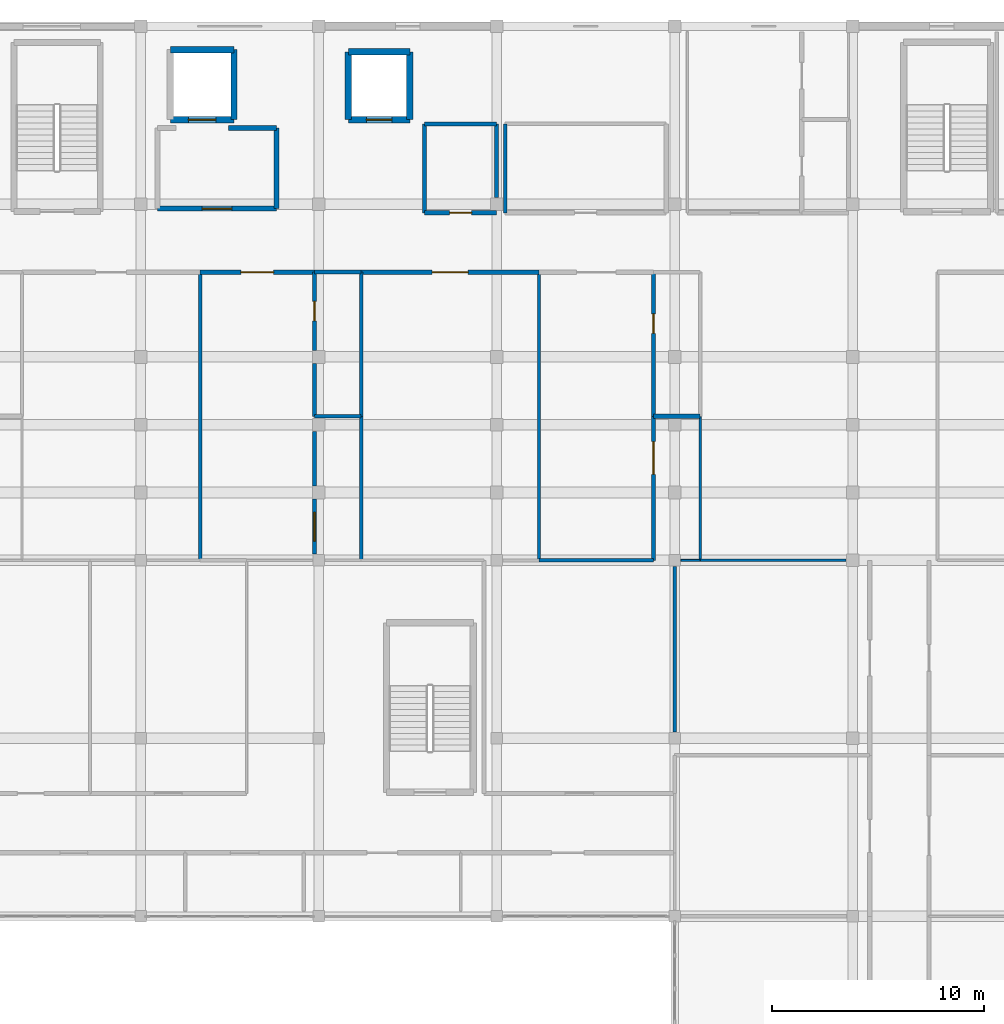
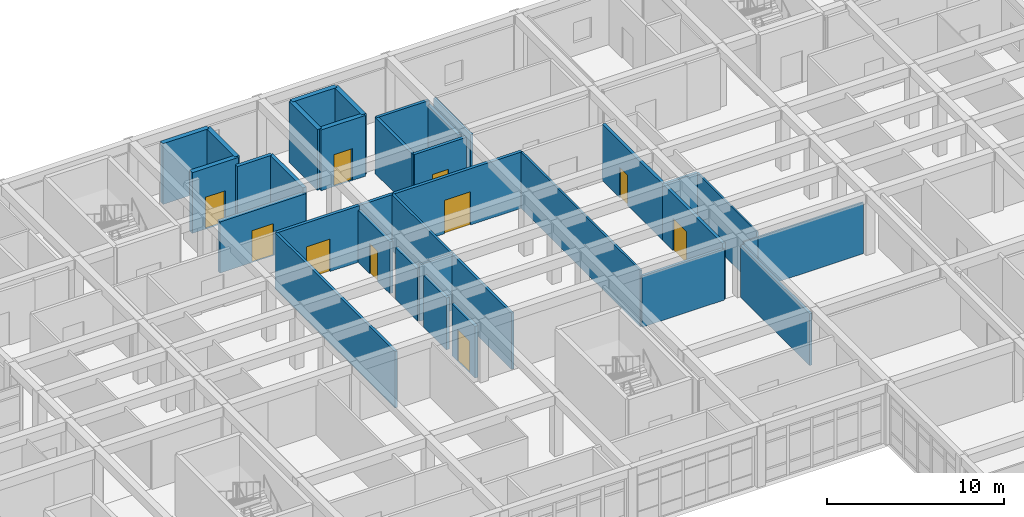
# One storey, part 58 of 77: 35 walls, 10 doors, 10 openings.
"""IFC4 building model written with IfcOpenShell, lengths in metres."""

from ifc_helpers import new_model, si_unit, direction, frame, frame_2d, origin, place, context, subcontext, project, spatial, rectangle, extrude, material, layer, layer_set, type_object, element, fill, save


model = new_model("IFC4")

# Units and contexts
model_context = context("Model", 3, precision=1e-05, world=origin(), true_north=direction((0.0, 1.0)))
body_context = subcontext(model_context, "Body", "Model", "MODEL_VIEW")
ifc_project = project(units=[si_unit("LENGTHUNIT", "METRE"), si_unit("AREAUNIT", "SQUARE_METRE"), si_unit("VOLUMEUNIT", "CUBIC_METRE"), si_unit("PLANEANGLEUNIT", "RADIAN"), si_unit("MASSUNIT", "GRAM", prefix="KILO")], contexts=[model_context])

# Site, building, storey
site_placement = place(None, origin())
site = spatial("IfcSite", under=ifc_project, at=site_placement, CompositionType="ELEMENT")
building_placement = place(site_placement, origin())
building = spatial("IfcBuilding", under=site, at=building_placement, Name="Varncliffe General Hospital", CompositionType="ELEMENT")
storey_placement = place(building_placement, frame((0.0, 0.0, 16.199951171875)))
storey = spatial("IfcBuildingStorey", under=building, at=storey_placement, Name="L03", CompositionType="ELEMENT", Elevation=16.199951171875)

# Walls
ifc_material_1 = material(Name="Acoustic clinical gypsum stud partition assembly", Category="gypsum")
ifc_layer_1 = layer(ifc_material_1, 0.1298828125)
ifc_layer_set_1 = layer_set([ifc_layer_1], Name="Acoustic clinical gypsum stud partition assembly")
wall_type_1 = type_object("IfcWallType", Name="Interior Partitioning IW11 (130mm)", PredefinedType="PARTITIONING", material=ifc_layer_set_1)
wall_1_placement = place(storey_placement, frame((144.800048828125, 99.60009765625, 0.0), z_axis=(0.0, 0.0, 1.0), x_axis=(0.0, 1.0, 0.0)))
element("IfcWall", 1, at=wall_1_placement, inside=storey, type_object=wall_type_1, Name="L03 Interior Partition Wall IW11-1628", PredefinedType="PARTITIONING", context=body_context, shape_type="SweptSolid", body=[
    extrude(rectangle(XDim=13.599853515625, YDim=0.1298828125, at=frame_2d((6.7998046875, 0.0))), origin(), (0.0, 0.0, 1.0), 3.89013671875),
])
ifc_layer_2 = layer(ifc_material_1, 0.169921875)
ifc_layer_set_2 = layer_set([ifc_layer_2], Name="Acoustic clinical gypsum stud partition assembly")
wall_type_2 = type_object("IfcWallType", Name="Interior Partitioning IW20 (170mm)", PredefinedType="PARTITIONING", material=ifc_layer_set_2)
wall_2_placement = place(storey_placement, frame((144.800048828125, 99.60009765625, 0.0), z_axis=(0.0, 0.0, 1.0), x_axis=(1.0, 0.0, 0.0)))
element("IfcWall", 2, at=wall_2_placement, inside=storey, type_object=wall_type_2, Name="L03 Interior Partition Wall IW20-1440", PredefinedType="PARTITIONING", context=body_context, shape_type="SweptSolid", body=[
    extrude(rectangle(XDim=5.39990234375, YDim=0.169921875, at=frame_2d((2.699951171875, 0.0))), origin(), (0.0, 0.0, 1.0), 3.53515625),
])
wall_3_placement = place(storey_placement, frame((128.800048828125, 99.60009765625, 0.0), z_axis=(0.0, 0.0, 1.0), x_axis=(0.0, 1.0, 0.0)))
element("IfcWall", 3, at=wall_3_placement, inside=storey, type_object=wall_type_2, Name="L03 Interior Partition Wall IW20-1610", PredefinedType="PARTITIONING", context=body_context, shape_type="SweptSolid", body=[
    extrude(rectangle(XDim=13.599853515625, YDim=0.169921875, at=frame_2d((6.7998046875, 0.0))), origin(), (0.0, 0.0, 1.0), 3.89013671875),
])
wall_4_placement = place(storey_placement, frame((136.39990234375, 99.60009765625, 0.0), z_axis=(0.0, 0.0, 1.0), x_axis=(0.0, 1.0, 0.0)))
element("IfcWall", 4, at=wall_4_placement, inside=storey, type_object=wall_type_2, Name="L03 Interior Partition Wall IW20-1620", PredefinedType="PARTITIONING", context=body_context, shape_type="SweptSolid", body=[
    extrude(rectangle(XDim=6.7998046875, YDim=0.169921875, at=frame_2d((3.39990234375, 0.0))), origin(), (0.0, 0.0, 1.0), 3.89013671875),
])
wall_5_placement = place(storey_placement, frame((151.199951171875, 91.489990234375, 0.0), z_axis=(0.0, 0.0, 1.0), x_axis=(0.0, 1.0, 0.0)))
element("IfcWall", 5, at=wall_5_placement, inside=storey, type_object=wall_type_2, Name="L03 Interior Partition Wall IW20-1640", PredefinedType="PARTITIONING", context=body_context, shape_type="SweptSolid", body=[
    extrude(rectangle(XDim=7.820068359375, YDim=0.169921875, at=frame_2d((3.91015625, 0.0))), origin(), (0.0, 0.0, 1.0), 3.5849609375),
])
ifc_layer_3 = layer(ifc_material_1, 0.090087890625)
ifc_layer_set_3 = layer_set([ifc_layer_3], Name="Acoustic clinical gypsum stud partition assembly")
wall_type_3 = type_object("IfcWallType", Name="Interior Partitioning IW42 (90mm)", PredefinedType="PARTITIONING", material=ifc_layer_set_3)
wall_6_placement = place(storey_placement, frame((151.489990234375, 99.60009765625, 0.0), z_axis=(0.0, 0.0, 1.0), x_axis=(1.0, 0.0, 0.0)))
element("IfcWall", 6, at=wall_6_placement, inside=storey, type_object=wall_type_3, Name="L03 Interior Partition Wall IW42-1441", PredefinedType="PARTITIONING", context=body_context, shape_type="SweptSolid", body=[
    extrude(rectangle(XDim=0.909912109375, YDim=0.090087890625, at=frame_2d((0.455078125, 0.0))), origin(), (0.0, 0.0, 1.0), 3.53515625),
])
ifc_layer_4 = layer(ifc_material_1, 0.110107421875)
ifc_layer_set_4 = layer_set([ifc_layer_4], Name="Acoustic clinical gypsum stud partition assembly")
wall_type_4 = type_object("IfcWallType", Name="Interior Partitioning IW65 (110mm)", PredefinedType="PARTITIONING", material=ifc_layer_set_4)
wall_7_placement = place(storey_placement, frame((152.39990234375, 99.60009765625, 0.0), z_axis=(0.0, 0.0, 1.0), x_axis=(1.0, 0.0, 0.0)))
element("IfcWall", 7, at=wall_7_placement, inside=storey, type_object=wall_type_4, Name="L03 Interior Partition Wall IW65-1442", PredefinedType="PARTITIONING", context=body_context, shape_type="SweptSolid", body=[
    extrude(rectangle(XDim=6.885009765625, YDim=0.110107421875, at=frame_2d((3.4423828125, 0.0))), origin(), (0.0, 0.0, 1.0), 3.53515625),
])
wall_8_placement = place(storey_placement, frame((152.39990234375, 99.60009765625, 0.0), z_axis=(0.0, 0.0, 1.0), x_axis=(0.0, 1.0, 0.0)))
element("IfcWall", 8, at=wall_8_placement, inside=storey, type_object=wall_type_4, Name="L03 Interior Partition Wall IW65-1642", PredefinedType="PARTITIONING", context=body_context, shape_type="SweptSolid", body=[
    extrude(rectangle(XDim=6.7998046875, YDim=0.110107421875, at=frame_2d((3.39990234375, 0.0))), origin(), (0.0, 0.0, 1.0), 3.89013671875),
])

# Wall, opening, door
ifc_material_2 = material(Name="Fire-rated gypsum and mineral-wool partition assembly", Category="gypsum")
ifc_layer_5 = layer(ifc_material_2, 0.25)
ifc_layer_set_5 = layer_set([ifc_layer_5], Name="Fire-rated gypsum and mineral-wool partition assembly")
wall_type_5 = type_object("IfcWallType", Name="Interior Partitioning PW38 (250mm)", PredefinedType="PARTITIONING", material=ifc_layer_set_5)
wall_9_placement = place(storey_placement, frame((126.800048828125, 116.199951171875, 0.0), z_axis=(0.0, 0.0, 1.0), x_axis=(1.0, 0.0, 0.0)))
wall_9 = element("IfcWall", 9, at=wall_9_placement, inside=storey, type_object=wall_type_5, Name="L03 Interior Partition Wall PW38-1495", PredefinedType="PARTITIONING", context=body_context, shape_type="SweptSolid", body=[
    extrude(rectangle(XDim=5.599853515625, YDim=0.25, at=frame_2d((2.7998046875, 0.0))), origin(), (0.0, 0.0, 1.0), 3.53515625),
])
opening_1_placement = place(wall_9_placement, frame((2.10009765625, 0.0, 0.0)))
opening_1 = element("IfcOpeningElement", 10, at=opening_1_placement, cuts=wall_9, Name="Opening DF81", PredefinedType="OPENING", context=body_context, shape_type="SweptSolid", body=[
    extrude(rectangle(XDim=1.39990234375, YDim=2.199951171875, at=frame_2d((0.699951171875, 1.10009765625))), frame((0.0, 0.135009765625, 0.0), z_axis=(0.0, -1.0, 0.0), x_axis=(1.0, 0.0, 0.0)), (0.0, 0.0, 1.0), 0.27001953125),
])
ifc_material_3 = material(Name="Fire-rated hospital steel-frame vision-panel door", Category="steel")
door_type_1 = type_object("IfcDoorType", Name="Interior Hospital Door DF81 (1400x2200)", OperationType="NOTDEFINED", PredefinedType="DOOR", material=ifc_material_3)
door_1_placement = place(opening_1_placement, origin())
door_1 = element("IfcDoor", 11, at=door_1_placement, inside=storey, type_object=door_type_1, Name="L03 Firefighting Lift Lobby LF03 Door", OperationType="SINGLE_SWING_RIGHT", OverallHeight=2.199951171875, OverallWidth=1.39990234375, PredefinedType="DOOR", context=body_context, shape_type="SweptSolid", body=[
    extrude(rectangle(XDim=1.39990234375, YDim=2.199951171875, at=frame_2d((0.699951171875, 1.10009765625))), frame((0.0, 0.02490234375, 0.0), z_axis=(0.0, -1.0, 0.0), x_axis=(1.0, 0.0, 0.0)), (0.0, 0.0, 1.0), 0.050048828125),
])
fill(opening_1, door_1)

# Walls
ifc_layer_6 = layer(ifc_material_2, 0.22998046875)
ifc_layer_set_6 = layer_set([ifc_layer_6], Name="Fire-rated gypsum and mineral-wool partition assembly")
wall_type_6 = type_object("IfcWallType", Name="Interior Partitioning PW48 (230mm)", PredefinedType="PARTITIONING", material=ifc_layer_set_6)
wall_10_placement = place(storey_placement, frame((130.135986328125, 120.0, 0.0), z_axis=(0.0, 0.0, 1.0), x_axis=(1.0, 0.0, 0.0)))
element("IfcWall", 12, at=wall_10_placement, inside=storey, type_object=wall_type_6, Name="L03 Interior Partition Wall PW48-1500", PredefinedType="PARTITIONING", context=body_context, shape_type="SweptSolid", body=[
    extrude(rectangle(XDim=2.263916015625, YDim=0.22998046875, at=frame_2d((1.1318359375, 0.0))), origin(), (0.0, 0.0, 1.0), 3.89013671875),
])
wall_11_placement = place(storey_placement, frame((132.39990234375, 116.199951171875, 0.0), z_axis=(0.0, 0.0, 1.0), x_axis=(0.0, 1.0, 0.0)))
element("IfcWall", 13, at=wall_11_placement, inside=storey, type_object=wall_type_6, Name="L03 Interior Partition Wall PW48-1612", PredefinedType="PARTITIONING", context=body_context, shape_type="SweptSolid", body=[
    extrude(rectangle(XDim=3.800048828125, YDim=0.22998046875, at=frame_2d((1.89990234375, 0.0))), origin(), (0.0, 0.0, 1.0), 3.89013671875),
])

# Wall, opening, door
ifc_layer_7 = layer(ifc_material_2, 0.199951171875)
ifc_layer_set_7 = layer_set([ifc_layer_7], Name="Fire-rated gypsum and mineral-wool partition assembly")
wall_type_7 = type_object("IfcWallType", Name="Interior Partitioning PW63 (200mm)", PredefinedType="PARTITIONING", material=ifc_layer_set_7)
wall_12_placement = place(storey_placement, frame((128.800048828125, 113.199951171875, 0.0), z_axis=(0.0, 0.0, 1.0), x_axis=(1.0, 0.0, 0.0)))
wall_12 = element("IfcWall", 14, at=wall_12_placement, inside=storey, type_object=wall_type_7, Name="L03 Interior Partition Wall PW63-1473", PredefinedType="PARTITIONING", context=body_context, shape_type="SweptSolid", body=[
    extrude(rectangle(XDim=5.39990234375, YDim=0.199951171875, at=frame_2d((2.699951171875, 0.0))), origin(), (0.0, 0.0, 1.0), 3.89013671875),
])
opening_2_placement = place(wall_12_placement, frame((1.925048828125, 0.0, 0.0)))
opening_2 = element("IfcOpeningElement", 15, at=opening_2_placement, cuts=wall_12, Name="Opening DC67", PredefinedType="OPENING", context=body_context, shape_type="SweptSolid", body=[
    extrude(rectangle(XDim=1.550048828125, YDim=2.25, at=frame_2d((0.77490234375, 1.125))), frame((0.0, 0.10986328125, 0.0), z_axis=(0.0, -1.0, 0.0), x_axis=(1.0, 0.0, 0.0)), (0.0, 0.0, 1.0), 0.219970703125),
])
door_type_2 = type_object("IfcDoorType", Name="Interior Hospital Door DC67 (1550x2250)", OperationType="NOTDEFINED", PredefinedType="DOOR", material=ifc_material_3)
door_2_placement = place(opening_2_placement, frame((1.550048828125, 0.0, 0.0), z_axis=(0.0, 0.0, 1.0), x_axis=(-1.0, 0.0, 0.0)))
door_2 = element("IfcDoor", 16, at=door_2_placement, inside=storey, type_object=door_type_2, Name="L03 Orthopaedic Inpatient Ward Suite 119 Door", OperationType="SINGLE_SWING_RIGHT", OverallHeight=2.25, OverallWidth=1.550048828125, PredefinedType="DOOR", context=body_context, shape_type="SweptSolid", body=[
    extrude(rectangle(XDim=1.550048828125, YDim=2.25, at=frame_2d((0.77490234375, 1.125))), frame((0.0, 0.02490234375, 0.0), z_axis=(0.0, -1.0, 0.0), x_axis=(1.0, 0.0, 0.0)), (0.0, 0.0, 1.0), 0.050048828125),
])
fill(opening_2, door_2)

wall_13_placement = place(storey_placement, frame((136.39990234375, 113.199951171875, 0.0), z_axis=(0.0, 0.0, 1.0), x_axis=(1.0, 0.0, 0.0)))
wall_13 = element("IfcWall", 17, at=wall_13_placement, inside=storey, type_object=wall_type_7, Name="L03 Interior Partition Wall PW63-1475", PredefinedType="PARTITIONING", context=body_context, shape_type="SweptSolid", body=[
    extrude(rectangle(XDim=8.400146484375, YDim=0.199951171875, at=frame_2d((4.2001953125, 0.0))), origin(), (0.0, 0.0, 1.0), 3.89013671875),
])
opening_3_placement = place(wall_13_placement, frame((3.35009765625, 0.0, 0.0)))
opening_3 = element("IfcOpeningElement", 18, at=opening_3_placement, cuts=wall_13, Name="Opening DC50", PredefinedType="OPENING", context=body_context, shape_type="SweptSolid", body=[
    extrude(rectangle(XDim=1.699951171875, YDim=2.300048828125, at=frame_2d((0.85009765625, 1.14990234375))), frame((0.0, 0.10986328125, 0.0), z_axis=(0.0, -1.0, 0.0), x_axis=(1.0, 0.0, 0.0)), (0.0, 0.0, 1.0), 0.219970703125),
])
door_type_3 = type_object("IfcDoorType", Name="Interior Hospital Door DC50 (1700x2300)", OperationType="NOTDEFINED", PredefinedType="DOOR", material=ifc_material_3)
door_3_placement = place(opening_3_placement, frame((1.699951171875, 0.0, 0.0), z_axis=(0.0, 0.0, 1.0), x_axis=(-1.0, 0.0, 0.0)))
door_3 = element("IfcDoor", 19, at=door_3_placement, inside=storey, type_object=door_type_3, Name="L03 Inpatient Physiotherapy Gym Bay 122 Door", OperationType="SINGLE_SWING_LEFT", OverallHeight=2.300048828125, OverallWidth=1.699951171875, PredefinedType="DOOR", context=body_context, shape_type="SweptSolid", body=[
    extrude(rectangle(XDim=1.699951171875, YDim=2.300048828125, at=frame_2d((0.85009765625, 1.14990234375))), frame((0.0, 0.02490234375, 0.0), z_axis=(0.0, -1.0, 0.0), x_axis=(1.0, 0.0, 0.0)), (0.0, 0.0, 1.0), 0.050048828125),
])
fill(opening_3, door_3)

wall_14_placement = place(storey_placement, frame((139.39990234375, 116.0, 0.0), z_axis=(0.0, 0.0, 1.0), x_axis=(1.0, 0.0, 0.0)))
wall_14 = element("IfcWall", 20, at=wall_14_placement, inside=storey, type_object=wall_type_7, Name="L03 Interior Partition Wall PW63-1487", PredefinedType="PARTITIONING", context=body_context, shape_type="SweptSolid", body=[
    extrude(rectangle(XDim=3.400146484375, YDim=0.199951171875, at=frame_2d((1.7001953125, 0.0))), origin(), (0.0, 0.0, 1.0), 3.89013671875),
])
opening_4_placement = place(wall_14_placement, frame((1.179931640625, 0.0, 0.0)))
opening_4 = element("IfcOpeningElement", 21, at=opening_4_placement, cuts=wall_14, Name="Opening DI77", PredefinedType="OPENING", context=body_context, shape_type="SweptSolid", body=[
    extrude(rectangle(XDim=1.0400390625, YDim=2.10009765625, at=frame_2d((0.52001953125, 1.050048828125))), frame((0.0, 0.10986328125, 0.0), z_axis=(0.0, -1.0, 0.0), x_axis=(1.0, 0.0, 0.0)), (0.0, 0.0, 1.0), 0.219970703125),
])
ifc_material_4 = material(Name="Solid-core antimicrobial hospital oak veneer door", Category="wood")
door_type_4 = type_object("IfcDoorType", Name="Interior Hospital Door DI77 (1040x2100)", OperationType="NOTDEFINED", PredefinedType="DOOR", material=ifc_material_4)
door_4_placement = place(opening_4_placement, origin())
door_4 = element("IfcDoor", 22, at=door_4_placement, inside=storey, type_object=door_type_4, Name="L03 Accessible WC L03-NE Door", OperationType="SINGLE_SWING_RIGHT", OverallHeight=2.10009765625, OverallWidth=1.0400390625, PredefinedType="DOOR", context=body_context, shape_type="SweptSolid", body=[
    extrude(rectangle(XDim=1.0400390625, YDim=2.10009765625, at=frame_2d((0.52001953125, 1.050048828125))), frame((0.0, 0.02490234375, 0.0), z_axis=(0.0, -1.0, 0.0), x_axis=(1.0, 0.0, 0.0)), (0.0, 0.0, 1.0), 0.050048828125),
])
fill(opening_4, door_4)

wall_15_placement = place(storey_placement, frame((134.199951171875, 99.889892578125, 0.0), z_axis=(0.0, 0.0, 1.0), x_axis=(0.0, 1.0, 0.0)))
wall_15 = element("IfcWall", 23, at=wall_15_placement, inside=storey, type_object=wall_type_7, Name="L03 Interior Partition Wall PW63-1616", PredefinedType="PARTITIONING", context=body_context, shape_type="SweptSolid", body=[
    extrude(rectangle(XDim=2.59521484375, YDim=0.199951171875, at=frame_2d((1.297607421875, 0.0))), origin(), (0.0, 0.0, 1.0), 3.5849609375),
])
opening_5_placement = place(wall_15_placement, frame((0.62255859375, 0.0, 0.0)))
opening_5 = element("IfcOpeningElement", 24, at=opening_5_placement, cuts=wall_15, Name="Opening DC85", PredefinedType="OPENING", context=body_context, shape_type="SweptSolid", body=[
    extrude(rectangle(XDim=1.35009765625, YDim=2.199951171875, at=frame_2d((0.675048828125, 1.10009765625))), frame((0.0, 0.10986328125, 0.0), z_axis=(0.0, -1.0, 0.0), x_axis=(1.0, 0.0, 0.0)), (0.0, 0.0, 1.0), 0.219970703125),
])
door_type_5 = type_object("IfcDoorType", Name="Interior Hospital Door DC85 (1350x2200)", OperationType="NOTDEFINED", PredefinedType="DOOR", material=ifc_material_3)
door_5_placement = place(opening_5_placement, frame((1.35009765625, 0.0, 0.0), z_axis=(0.0, 0.0, 1.0), x_axis=(-1.0, 0.0, 0.0)))
door_5 = element("IfcDoor", 25, at=door_5_placement, inside=storey, type_object=door_type_5, Name="L03 Patient Medication and Hygiene Bay 121 Door", OperationType="SINGLE_SWING_LEFT", OverallHeight=2.199951171875, OverallWidth=1.35009765625, PredefinedType="DOOR", context=body_context, shape_type="SweptSolid", body=[
    extrude(rectangle(XDim=1.35009765625, YDim=2.199951171875, at=frame_2d((0.675048828125, 1.10009765625))), frame((0.0, 0.02490234375, 0.0), z_axis=(0.0, -1.0, 0.0), x_axis=(1.0, 0.0, 0.0)), (0.0, 0.0, 1.0), 0.050048828125),
])
fill(opening_5, door_5)

# Wall
wall_16_placement = place(storey_placement, frame((134.199951171875, 103.114990234375, 0.0), z_axis=(0.0, 0.0, 1.0), x_axis=(0.0, 1.0, 0.0)))
element("IfcWall", 26, at=wall_16_placement, inside=storey, type_object=wall_type_7, Name="L03 Interior Partition Wall PW63-1617", PredefinedType="PARTITIONING", context=body_context, shape_type="SweptSolid", body=[
    extrude(rectangle(XDim=2.570068359375, YDim=0.199951171875, at=frame_2d((1.28515625, 0.0))), origin(), (0.0, 0.0, 1.0), 3.5849609375),
])

# Wall, opening, door
wall_17_placement = place(storey_placement, frame((134.199951171875, 109.514892578125, 0.0), z_axis=(0.0, 0.0, 1.0), x_axis=(0.0, 1.0, 0.0)))
wall_17 = element("IfcWall", 27, at=wall_17_placement, inside=storey, type_object=wall_type_7, Name="L03 Interior Partition Wall PW63-1618", PredefinedType="PARTITIONING", context=body_context, shape_type="SweptSolid", body=[
    extrude(rectangle(XDim=3.68505859375, YDim=0.199951171875, at=frame_2d((1.842529296875, 0.0))), origin(), (0.0, 0.0, 1.0), 3.5849609375),
])
opening_6_placement = place(wall_17_placement, frame((1.382568359375, 0.0, 0.0)))
opening_6 = element("IfcOpeningElement", 28, at=opening_6_placement, cuts=wall_17, Name="Opening DI70", PredefinedType="OPENING", context=body_context, shape_type="SweptSolid", body=[
    extrude(rectangle(XDim=0.919921875, YDim=2.10009765625, at=frame_2d((0.4599609375, 1.050048828125))), frame((0.0, 0.10986328125, 0.0), z_axis=(0.0, -1.0, 0.0), x_axis=(1.0, 0.0, 0.0)), (0.0, 0.0, 1.0), 0.219970703125),
])
door_type_6 = type_object("IfcDoorType", Name="Interior Hospital Door DI70 (920x2100)", OperationType="NOTDEFINED", PredefinedType="DOOR", material=ifc_material_4)
door_6_placement = place(opening_6_placement, frame((0.919921875, 0.0, 0.0), z_axis=(0.0, 0.0, 1.0), x_axis=(-1.0, 0.0, 0.0)))
door_6 = element("IfcDoor", 29, at=door_6_placement, inside=storey, type_object=door_type_6, Name="L03 En-Suite Bathroom 120 Door", OperationType="SINGLE_SWING_RIGHT", OverallHeight=2.10009765625, OverallWidth=0.919921875, PredefinedType="DOOR", context=body_context, shape_type="SweptSolid", body=[
    extrude(rectangle(XDim=0.919921875, YDim=2.10009765625, at=frame_2d((0.4599609375, 1.050048828125))), frame((0.0, 0.02490234375, 0.0), z_axis=(0.0, -1.0, 0.0), x_axis=(1.0, 0.0, 0.0)), (0.0, 0.0, 1.0), 0.050048828125),
])
fill(opening_6, door_6)

# Wall
wall_18_placement = place(storey_placement, frame((134.199951171875, 106.39990234375, 0.0), z_axis=(0.0, 0.0, 1.0), x_axis=(0.0, 1.0, 0.0)))
element("IfcWall", 30, at=wall_18_placement, inside=storey, type_object=wall_type_7, Name="L03 Interior Partition Wall PW63-1619", PredefinedType="PARTITIONING", context=body_context, shape_type="SweptSolid", body=[
    extrude(rectangle(XDim=2.485107421875, YDim=0.199951171875, at=frame_2d((1.24267578125, 0.0))), origin(), (0.0, 0.0, 1.0), 3.5849609375),
])

# Wall, opening, door
wall_19_placement = place(storey_placement, frame((150.199951171875, 99.60009765625, 0.0), z_axis=(0.0, 0.0, 1.0), x_axis=(0.0, 1.0, 0.0)))
wall_19 = element("IfcWall", 31, at=wall_19_placement, inside=storey, type_object=wall_type_7, Name="L03 Interior Partition Wall PW63-1630", PredefinedType="PARTITIONING", context=body_context, shape_type="SweptSolid", body=[
    extrude(rectangle(XDim=6.7998046875, YDim=0.199951171875, at=frame_2d((3.39990234375, 0.0))), origin(), (0.0, 0.0, 1.0), 3.89013671875),
])
opening_7_placement = place(wall_19_placement, frame((4.055908203125, 0.0, 0.0)))
opening_7 = element("IfcOpeningElement", 32, at=opening_7_placement, cuts=wall_19, Name="Opening DC67", PredefinedType="OPENING", context=body_context, shape_type="SweptSolid", body=[
    extrude(rectangle(XDim=1.550048828125, YDim=2.25, at=frame_2d((0.77490234375, 1.125))), frame((0.0, 0.10986328125, 0.0), z_axis=(0.0, -1.0, 0.0), x_axis=(1.0, 0.0, 0.0)), (0.0, 0.0, 1.0), 0.219970703125),
])
door_7_placement = place(opening_7_placement, frame((1.550048828125, 0.0, 0.0), z_axis=(0.0, 0.0, 1.0), x_axis=(-1.0, 0.0, 0.0)))
door_7 = element("IfcDoor", 33, at=door_7_placement, inside=storey, type_object=door_type_2, Name="L03 Patient Medication and Hygiene Bay 125 Door", OperationType="SINGLE_SWING_LEFT", OverallHeight=2.25, OverallWidth=1.550048828125, PredefinedType="DOOR", context=body_context, shape_type="SweptSolid", body=[
    extrude(rectangle(XDim=1.550048828125, YDim=2.25, at=frame_2d((0.77490234375, 1.125))), frame((0.0, 0.02490234375, 0.0), z_axis=(0.0, -1.0, 0.0), x_axis=(1.0, 0.0, 0.0)), (0.0, 0.0, 1.0), 0.050048828125),
])
fill(opening_7, door_7)

wall_20_placement = place(storey_placement, frame((150.199951171875, 106.39990234375, 0.0), z_axis=(0.0, 0.0, 1.0), x_axis=(0.0, 1.0, 0.0)))
wall_20 = element("IfcWall", 34, at=wall_20_placement, inside=storey, type_object=wall_type_7, Name="L03 Interior Partition Wall PW63-1631", PredefinedType="PARTITIONING", context=body_context, shape_type="SweptSolid", body=[
    extrude(rectangle(XDim=6.800048828125, YDim=0.199951171875, at=frame_2d((3.39990234375, 0.0))), origin(), (0.0, 0.0, 1.0), 3.89013671875),
])
opening_8_placement = place(wall_20_placement, frame((3.912109375, 0.0, 0.0)))
opening_8 = element("IfcOpeningElement", 35, at=opening_8_placement, cuts=wall_20, Name="Opening DI70", PredefinedType="OPENING", context=body_context, shape_type="SweptSolid", body=[
    extrude(rectangle(XDim=0.919921875, YDim=2.10009765625, at=frame_2d((0.4599609375, 1.050048828125))), frame((0.0, 0.10986328125, 0.0), z_axis=(0.0, -1.0, 0.0), x_axis=(1.0, 0.0, 0.0)), (0.0, 0.0, 1.0), 0.219970703125),
])
door_8_placement = place(opening_8_placement, frame((0.919921875, 0.0, 0.0), z_axis=(0.0, 0.0, 1.0), x_axis=(-1.0, 0.0, 0.0)))
door_8 = element("IfcDoor", 36, at=door_8_placement, inside=storey, type_object=door_type_6, Name="L03 En-Suite Bathroom 124 Door", OperationType="SINGLE_SWING_RIGHT", OverallHeight=2.10009765625, OverallWidth=0.919921875, PredefinedType="DOOR", context=body_context, shape_type="SweptSolid", body=[
    extrude(rectangle(XDim=0.919921875, YDim=2.10009765625, at=frame_2d((0.4599609375, 1.050048828125))), frame((0.0, 0.02490234375, 0.0), z_axis=(0.0, -1.0, 0.0), x_axis=(1.0, 0.0, 0.0)), (0.0, 0.0, 1.0), 0.050048828125),
])
fill(opening_8, door_8)

# Walls
ifc_material_5 = material(Name="Moisture-resistant plumbing chase wall assembly", Category="gypsum")
ifc_layer_8 = layer(ifc_material_5, 0.18994140625)
ifc_layer_set_8 = layer_set([ifc_layer_8], Name="Moisture-resistant plumbing chase wall assembly")
wall_type_8 = type_object("IfcWallType", Name="Interior Plumbingwall MW17 (190mm)", PredefinedType="PLUMBINGWALL", material=ifc_layer_set_8)
for number, where, z_axis, x_axis, name in (
    (37, (150.199951171875, 106.39990234375, 0.0), (0.0, 0.0, 1.0), (1.0, 0.0, 0.0), "L03 Interior Plumbing Wall MW17-1458"),
    (38, (134.199951171875, 113.199951171875, 0.0), (0.0, 0.0, 1.0), (1.0, 0.0, 0.0), "L03 Interior Plumbing Wall MW17-1474"),
):
    element("IfcWall", number, at=place(storey_placement, frame(where, z_axis=z_axis, x_axis=x_axis)), inside=storey, type_object=wall_type_8, Name=name, PredefinedType="PLUMBINGWALL", context=body_context, shape_type="SweptSolid", body=[
        extrude(rectangle(XDim=2.199951171875, YDim=0.18994140625, at=frame_2d((1.10009765625, 0.0))), origin(), (0.0, 0.0, 1.0), 3.89013671875),
    ])
wall_21_placement = place(storey_placement, frame((139.39990234375, 120.199951171875, 0.0), z_axis=(0.0, 0.0, 1.0), x_axis=(1.0, 0.0, 0.0)))
element("IfcWall", 39, at=wall_21_placement, inside=storey, type_object=wall_type_8, Name="L03 Interior Plumbing Wall MW17-1504", PredefinedType="PLUMBINGWALL", context=body_context, shape_type="SweptSolid", body=[
    extrude(rectangle(XDim=3.400146484375, YDim=0.18994140625, at=frame_2d((1.7001953125, 0.0))), origin(), (0.0, 0.0, 1.0), 3.89013671875),
])
wall_22_placement = place(storey_placement, frame((139.39990234375, 116.0, 0.0), z_axis=(0.0, 0.0, 1.0), x_axis=(0.0, 1.0, 0.0)))
element("IfcWall", 40, at=wall_22_placement, inside=storey, type_object=wall_type_8, Name="L03 Interior Plumbing Wall MW17-1622", PredefinedType="PLUMBINGWALL", context=body_context, shape_type="SweptSolid", body=[
    extrude(rectangle(XDim=4.199951171875, YDim=0.18994140625, at=frame_2d((2.10009765625, 0.0))), origin(), (0.0, 0.0, 1.0), 3.89013671875),
])
wall_23_placement = place(storey_placement, frame((142.800048828125, 116.715087890625, 0.0), z_axis=(0.0, 0.0, 1.0), x_axis=(0.0, 1.0, 0.0)))
element("IfcWall", 41, at=wall_23_placement, inside=storey, type_object=wall_type_8, Name="L03 Interior Plumbing Wall MW17-1626", PredefinedType="PLUMBINGWALL", context=body_context, shape_type="SweptSolid", body=[
    extrude(rectangle(XDim=3.48486328125, YDim=0.18994140625, at=frame_2d((1.742431640625, 0.0))), origin(), (0.0, 0.0, 1.0), 3.5849609375),
])
ifc_layer_9 = layer(ifc_material_5, 0.159912109375)
ifc_layer_set_9 = layer_set([ifc_layer_9], Name="Moisture-resistant plumbing chase wall assembly")
wall_type_9 = type_object("IfcWallType", Name="Interior Plumbingwall MW31 (160mm)", PredefinedType="PLUMBINGWALL", material=ifc_layer_set_9)
wall_24_placement = place(storey_placement, frame((134.199951171875, 106.39990234375, 0.0), z_axis=(0.0, 0.0, 1.0), x_axis=(1.0, 0.0, 0.0)))
element("IfcWall", 42, at=wall_24_placement, inside=storey, type_object=wall_type_9, Name="L03 Interior Plumbing Wall MW31-1457", PredefinedType="PLUMBINGWALL", context=body_context, shape_type="SweptSolid", body=[
    extrude(rectangle(XDim=2.199951171875, YDim=0.159912109375, at=frame_2d((1.10009765625, 0.0))), origin(), (0.0, 0.0, 1.0), 3.89013671875),
])
wall_25_placement = place(storey_placement, frame((136.39990234375, 106.39990234375, 0.0), z_axis=(0.0, 0.0, 1.0), x_axis=(0.0, 1.0, 0.0)))
element("IfcWall", 43, at=wall_25_placement, inside=storey, type_object=wall_type_9, Name="L03 Interior Plumbing Wall MW31-1621", PredefinedType="PLUMBINGWALL", context=body_context, shape_type="SweptSolid", body=[
    extrude(rectangle(XDim=6.800048828125, YDim=0.159912109375, at=frame_2d((3.39990234375, 0.0))), origin(), (0.0, 0.0, 1.0), 3.89013671875),
])
wall_26_placement = place(storey_placement, frame((143.199951171875, 116.0, 0.0), z_axis=(0.0, 0.0, 1.0), x_axis=(0.0, 1.0, 0.0)))
element("IfcWall", 44, at=wall_26_placement, inside=storey, type_object=wall_type_9, Name="L03 Interior Plumbing Wall MW31-1627", PredefinedType="PLUMBINGWALL", context=body_context, shape_type="SweptSolid", body=[
    extrude(rectangle(XDim=4.199951171875, YDim=0.159912109375, at=frame_2d((2.10009765625, 0.0))), origin(), (0.0, 0.0, 1.0), 3.89013671875),
])

# Wall, opening, door
ifc_material_6 = material(Name="Concrete C40/50 (CSA A23.1 40 MPa)", Category="concrete")
ifc_layer_10 = layer(ifc_material_6, 0.300048828125)
ifc_layer_set_10 = layer_set([ifc_layer_10], Name="Concrete C40/50 (CSA A23.1 40 MPa)")
wall_type_10 = type_object("IfcWallType", Name="Reinforced Concrete Core Shear Wall CW12 (300mm)", PredefinedType="SHEAR", material=ifc_layer_set_10)
wall_27_placement = place(storey_placement, frame((127.39990234375, 120.39990234375, 0.0), z_axis=(0.0, 0.0, 1.0), x_axis=(1.0, 0.0, 0.0)))
wall_27 = element("IfcWall", 45, at=wall_27_placement, inside=storey, type_object=wall_type_10, Name="L03 LF03 Elevator Shaft Wall South", PredefinedType="SHEAR", context=body_context, shape_type="SweptSolid", body=[
    extrude(rectangle(XDim=3.0, YDim=0.300048828125, at=frame_2d((1.5, 0.0))), origin(), (0.0, 0.0, 1.0), 4.199951171875),
])
opening_9_placement = place(wall_27_placement, frame((0.85009765625, 0.0, 0.0)))
opening_9 = element("IfcOpeningElement", 46, at=opening_9_placement, cuts=wall_27, Name="Opening LD02", PredefinedType="OPENING", context=body_context, shape_type="SweptSolid", body=[
    extrude(rectangle(XDim=1.300048828125, YDim=2.199951171875, at=frame_2d((0.64990234375, 1.10009765625))), frame((0.0, 0.16015625, 0.0), z_axis=(0.0, -1.0, 0.0), x_axis=(1.0, 0.0, 0.0)), (0.0, 0.0, 1.0), 0.320068359375),
])
ifc_material_7 = material(Name="Brushed stainless-steel sliding elevator landing door", Category="steel")
door_type_7 = type_object("IfcDoorType", Name="Lift Landing Door LD02 (1300x2200)", OperationType="DOUBLE_DOOR_SLIDING", PredefinedType="DOOR", material=ifc_material_7)
door_9_placement = place(opening_9_placement, origin())
door_9 = element("IfcDoor", 47, at=door_9_placement, inside=storey, type_object=door_type_7, Name="Lift Landing Door LF03 L03", OperationType="DOUBLE_DOOR_SLIDING", OverallHeight=2.199951171875, OverallWidth=1.300048828125, PredefinedType="DOOR", context=body_context, shape_type="SweptSolid", body=[
    extrude(rectangle(XDim=1.300048828125, YDim=2.199951171875, at=frame_2d((0.64990234375, 1.10009765625))), frame((0.0, 0.02490234375, 0.0), z_axis=(0.0, -1.0, 0.0), x_axis=(1.0, 0.0, 0.0)), (0.0, 0.0, 1.0), 0.050048828125),
])
fill(opening_9, door_9)

# Walls
wall_28_placement = place(storey_placement, frame((130.39990234375, 120.39990234375, 0.0), z_axis=(0.0, 0.0, 1.0), x_axis=(0.0, 1.0, 0.0)))
element("IfcWall", 48, at=wall_28_placement, inside=storey, type_object=wall_type_10, Name="L03 LF03 Elevator Shaft Wall East", PredefinedType="SHEAR", context=body_context, shape_type="SweptSolid", body=[
    extrude(rectangle(XDim=3.300048828125, YDim=0.300048828125, at=frame_2d((1.64990234375, 0.0))), origin(), (0.0, 0.0, 1.0), 4.199951171875),
])
wall_29_placement = place(storey_placement, frame((130.39990234375, 123.699951171875, 0.0), z_axis=(0.0, 0.0, 1.0), x_axis=(-1.0, 0.0, 0.0)))
element("IfcWall", 49, at=wall_29_placement, inside=storey, type_object=wall_type_10, Name="L03 LF03 Elevator Shaft Wall North", PredefinedType="SHEAR", context=body_context, shape_type="SweptSolid", body=[
    extrude(rectangle(XDim=3.0, YDim=0.300048828125, at=frame_2d((1.5, 0.0))), origin(), (0.0, 0.0, 1.0), 4.199951171875),
])

# Wall, opening, door
wall_30_placement = place(storey_placement, frame((135.800048828125, 120.39990234375, 0.0), z_axis=(0.0, 0.0, 1.0), x_axis=(1.0, 0.0, 0.0)))
wall_30 = element("IfcWall", 50, at=wall_30_placement, inside=storey, type_object=wall_type_10, Name="L03 LF05 Elevator Shaft Wall South", PredefinedType="SHEAR", context=body_context, shape_type="SweptSolid", body=[
    extrude(rectangle(XDim=2.89990234375, YDim=0.300048828125, at=frame_2d((1.449951171875, 0.0))), origin(), (0.0, 0.0, 1.0), 4.199951171875),
])
opening_10_placement = place(wall_30_placement, frame((0.85009765625, 0.0, 0.0)))
opening_10 = element("IfcOpeningElement", 51, at=opening_10_placement, cuts=wall_30, Name="Opening LD01", PredefinedType="OPENING", context=body_context, shape_type="SweptSolid", body=[
    extrude(rectangle(XDim=1.199951171875, YDim=2.199951171875, at=frame_2d((0.60009765625, 1.10009765625))), frame((0.0, 0.16015625, 0.0), z_axis=(0.0, -1.0, 0.0), x_axis=(1.0, 0.0, 0.0)), (0.0, 0.0, 1.0), 0.320068359375),
])
door_type_8 = type_object("IfcDoorType", Name="Lift Landing Door LD01 (1200x2200)", OperationType="DOUBLE_DOOR_SLIDING", PredefinedType="DOOR", material=ifc_material_7)
door_10_placement = place(opening_10_placement, origin())
door_10 = element("IfcDoor", 52, at=door_10_placement, inside=storey, type_object=door_type_8, Name="Lift Landing Door LF05 L03", OperationType="DOUBLE_DOOR_SLIDING", OverallHeight=2.199951171875, OverallWidth=1.199951171875, PredefinedType="DOOR", context=body_context, shape_type="SweptSolid", body=[
    extrude(rectangle(XDim=1.199951171875, YDim=2.199951171875, at=frame_2d((0.60009765625, 1.10009765625))), frame((0.0, 0.02490234375, 0.0), z_axis=(0.0, -1.0, 0.0), x_axis=(1.0, 0.0, 0.0)), (0.0, 0.0, 1.0), 0.050048828125),
])
fill(opening_10, door_10)

# Walls
wall_31_placement = place(storey_placement, frame((138.699951171875, 120.39990234375, 0.0), z_axis=(0.0, 0.0, 1.0), x_axis=(0.0, 1.0, 0.0)))
element("IfcWall", 53, at=wall_31_placement, inside=storey, type_object=wall_type_10, Name="L03 LF05 Elevator Shaft Wall East", PredefinedType="SHEAR", context=body_context, shape_type="SweptSolid", body=[
    extrude(rectangle(XDim=3.2001953125, YDim=0.300048828125, at=frame_2d((1.60009765625, 0.0))), origin(), (0.0, 0.0, 1.0), 4.199951171875),
])
wall_32_placement = place(storey_placement, frame((138.699951171875, 123.60009765625, 0.0), z_axis=(0.0, 0.0, 1.0), x_axis=(-1.0, 0.0, 0.0)))
element("IfcWall", 54, at=wall_32_placement, inside=storey, type_object=wall_type_10, Name="L03 LF05 Elevator Shaft Wall North", PredefinedType="SHEAR", context=body_context, shape_type="SweptSolid", body=[
    extrude(rectangle(XDim=2.89990234375, YDim=0.300048828125, at=frame_2d((1.449951171875, 0.0))), origin(), (0.0, 0.0, 1.0), 4.199951171875),
])
wall_33_placement = place(storey_placement, frame((135.800048828125, 123.60009765625, 0.0), z_axis=(0.0, 0.0, 1.0), x_axis=(0.0, -1.0, 0.0)))
element("IfcWall", 55, at=wall_33_placement, inside=storey, type_object=wall_type_10, Name="L03 LF05 Elevator Shaft Wall West", PredefinedType="SHEAR", context=body_context, shape_type="SweptSolid", body=[
    extrude(rectangle(XDim=3.2001953125, YDim=0.300048828125, at=frame_2d((1.60009765625, 0.0))), origin(), (0.0, 0.0, 1.0), 4.199951171875),
])

save(model, "model.ifc")
